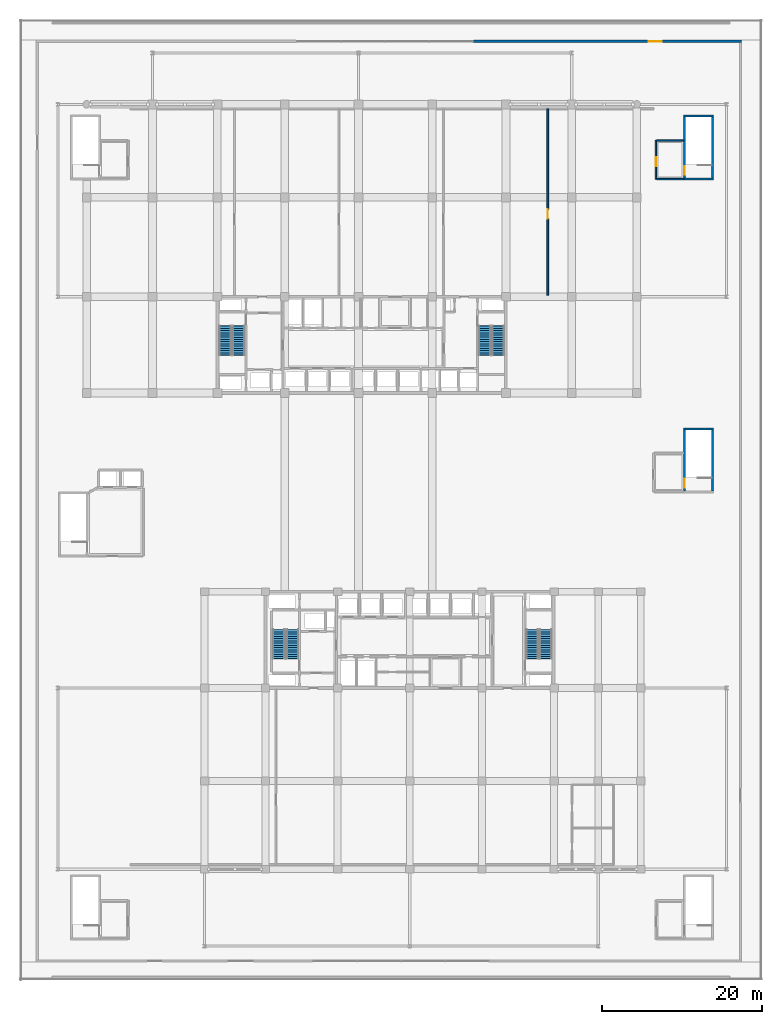
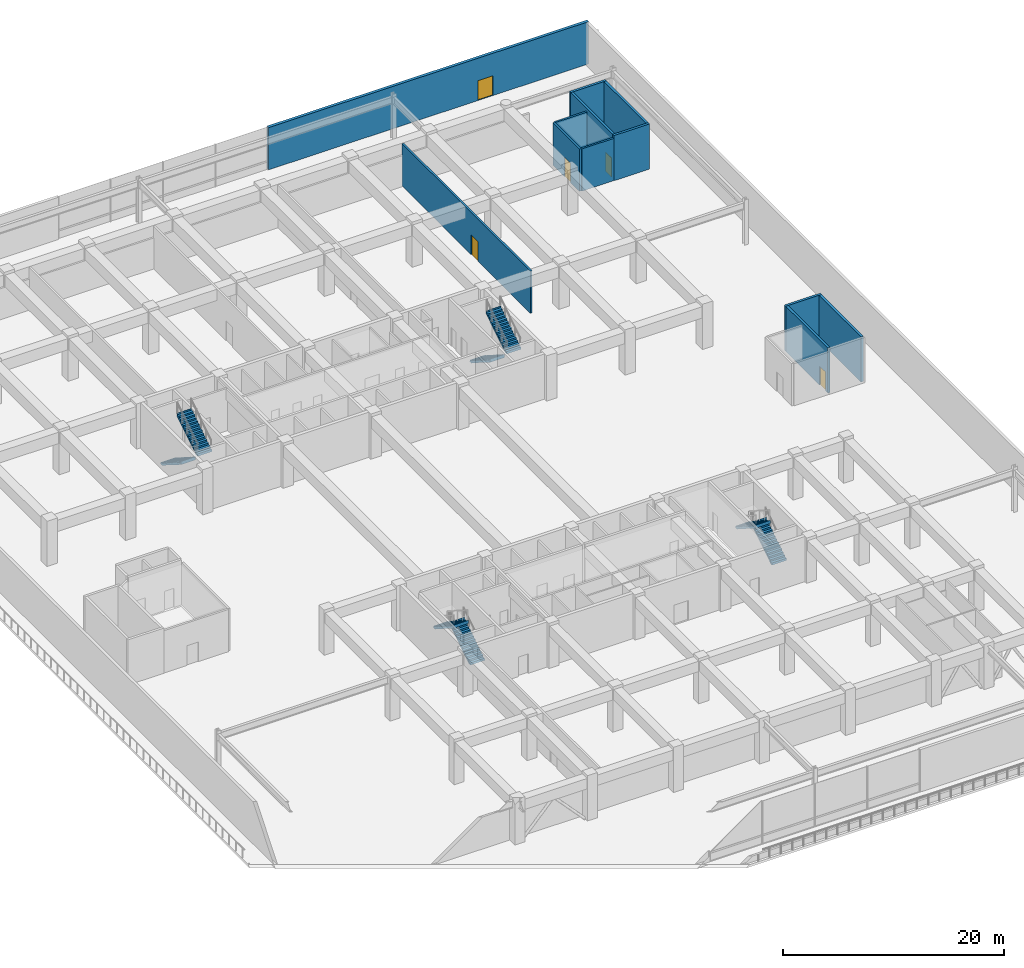
# One storey, part 31 of 38: 12 walls, 8 stair flights, 5 doors, 5 openings, 4 elements without a shape of their own.
"""IFC4 building model written with IfcOpenShell, lengths in metres."""

from ifc_helpers import new_model, si_unit, direction, frame, frame_2d, origin, place, context, subcontext, project, spatial, polyline, rectangle, outline, extrude, material, layer, layer_set, type_object, element, fill, aggregate, save


model = new_model("IFC4")

# Units and contexts
model_context = context("Model", 3, precision=1e-05, world=origin(), true_north=direction((0.0, 1.0)))
body_context = subcontext(model_context, "Body", "Model", "MODEL_VIEW")
ifc_project = project(units=[si_unit("LENGTHUNIT", "METRE"), si_unit("AREAUNIT", "SQUARE_METRE"), si_unit("VOLUMEUNIT", "CUBIC_METRE"), si_unit("PLANEANGLEUNIT", "RADIAN"), si_unit("MASSUNIT", "GRAM", prefix="KILO")], contexts=[model_context])

# Site, building, storey
site_placement = place(None, origin())
site = spatial("IfcSite", under=ifc_project, at=site_placement, CompositionType="ELEMENT")
building_placement = place(site_placement, origin())
building = spatial("IfcBuilding", under=site, at=building_placement, Name="Korimba Cascade Residences", CompositionType="ELEMENT")
storey_placement = place(building_placement, frame((0.0, 0.0, 19.0)))
storey = spatial("IfcBuildingStorey", under=building, at=storey_placement, Name="L04", CompositionType="ELEMENT", Elevation=19.0)

# Wall, opening, door
ifc_material_1 = material(Name="Precast concrete C40/50", Category="concrete")
ifc_layer_1 = layer(ifc_material_1, 0.300048828125)
ifc_layer_set_1 = layer_set([ifc_layer_1], Name="Precast concrete C40/50")
wall_type_1 = type_object("IfcWallType", Name="EW-STONE-300", PredefinedType="STANDARD", material=ifc_layer_set_1)
wall_1_placement = place(storey_placement, frame((141.5, 99.050048828125, 0.0), z_axis=(0.0, 0.0, 1.0), x_axis=(-1.0, 0.0, 0.0)))
wall_1 = element("IfcWall", 1, at=wall_1_placement, inside=storey, type_object=wall_type_1, Name="L04 North-East Podium Wall", PredefinedType="STANDARD", context=body_context, shape_type="SweptSolid", body=[
    extrude(rectangle(XDim=33.5, YDim=0.300048828125, at=frame_2d((16.75, 0.0))), origin(), (0.0, 0.0, 1.0), 4.679931640625),
])
opening_1_placement = place(wall_1_placement, frame((10.0, 0.0, 0.0)))
opening_1 = element("IfcOpeningElement", 2, at=opening_1_placement, cuts=wall_1, Name="Opening D-TR1", PredefinedType="OPENING", context=body_context, shape_type="SweptSolid", body=[
    extrude(rectangle(XDim=1.60009765625, YDim=2.199951171875, at=frame_2d((0.800048828125, 1.10009765625))), frame((0.0, 0.16015625, 0.0), z_axis=(0.0, -1.0, 0.0), x_axis=(1.0, 0.0, 0.0)), (0.0, 0.0, 1.0), 0.320068359375),
])
ifc_material_2 = material(Name="Glazed Aluminium Terrace Door", Category="aluminium")
door_type_1 = type_object("IfcDoorType", Name="DR-EXT-TER", OperationType="NOTDEFINED", PredefinedType="DOOR", material=ifc_material_2)
door_1_placement = place(opening_1_placement, frame((1.60009765625, 0.0, 0.0), z_axis=(0.0, 0.0, 1.0), x_axis=(-1.0, 0.0, 0.0)))
door_1 = element("IfcDoor", 3, at=door_1_placement, inside=storey, type_object=door_type_1, Name="L04 North Terrace Access Door", OperationType="DOUBLE_DOOR_SINGLE_SWING", OverallHeight=2.199951171875, OverallWidth=1.60009765625, PredefinedType="DOOR", context=body_context, shape_type="SweptSolid", body=[
    extrude(rectangle(XDim=1.60009765625, YDim=2.199951171875, at=frame_2d((0.800048828125, 1.10009765625))), frame((0.0, 0.02490234375, 0.0), z_axis=(0.0, -1.0, 0.0), x_axis=(1.0, 0.0, 0.0)), (0.0, 0.0, 1.0), 0.050048828125),
])
fill(opening_1, door_1)

ifc_material_3 = material(Name="Concrete C40/50", Category="concrete")
ifc_layer_2 = layer(ifc_material_3, 0.199951171875)
ifc_layer_set_2 = layer_set([ifc_layer_2], Name="Concrete C40/50")
wall_type_2 = type_object("IfcWallType", Name="WAL-PART-200", PredefinedType="PARTITIONING", material=ifc_layer_set_2)
wall_2_placement = place(storey_placement, frame((130.800048828125, 81.875, 0.0), z_axis=(0.0, 0.0, 1.0), x_axis=(0.0, 1.0, 0.0)))
wall_2 = element("IfcWall", 4, at=wall_2_placement, inside=storey, type_object=wall_type_2, Name="L04 Partition Wall CW-L04-PL4W", PredefinedType="PARTITIONING", context=body_context, shape_type="SweptSolid", body=[
    extrude(rectangle(XDim=4.824951171875, YDim=0.199951171875, at=frame_2d((2.41259765625, 0.0))), origin(), (0.0, 0.0, 1.0), 4.679931640625),
])
opening_2_placement = place(wall_2_placement, frame((1.60009765625, 0.0, 0.0)))
opening_2 = element("IfcOpeningElement", 5, at=opening_2_placement, cuts=wall_2, Name="Opening D-FD6", PredefinedType="OPENING", context=body_context, shape_type="SweptSolid", body=[
    extrude(rectangle(XDim=1.10009765625, YDim=2.14990234375, at=frame_2d((0.550048828125, 1.074951171875))), frame((0.0, 0.10986328125, 0.0), z_axis=(0.0, -1.0, 0.0), x_axis=(1.0, 0.0, 0.0)), (0.0, 0.0, 1.0), 0.219970703125),
])
ifc_material_4 = material(Name="Fire-Rated Timber Stair Lobby Door", Category="wood")
door_type_2 = type_object("IfcDoorType", Name="DR-FD90-1100", OperationType="NOTDEFINED", PredefinedType="DOOR", material=ifc_material_4)
door_2_placement = place(opening_2_placement, origin())
door_2 = element("IfcDoor", 6, at=door_2_placement, inside=storey, type_object=door_type_2, Name="L04 North-East Stair Vestibule Door", OperationType="SINGLE_SWING_RIGHT", OverallHeight=2.14990234375, OverallWidth=1.10009765625, PredefinedType="DOOR", context=body_context, shape_type="SweptSolid", body=[
    extrude(rectangle(XDim=1.10009765625, YDim=2.14990234375, at=frame_2d((0.550048828125, 1.074951171875))), frame((0.0, 0.02490234375, 0.0), z_axis=(0.0, -1.0, 0.0), x_axis=(1.0, 0.0, 0.0)), (0.0, 0.0, 1.0), 0.050048828125),
])
fill(opening_2, door_2)

# Walls
for number, where, z_axis, x_axis, name in (
    (7, (130.89990234375, 81.875, 0.0), (0.0, 0.0, 1.0), (1.0, 0.0, 0.0), "L04 Partition Wall CW-L04-PL4S"),
    (8, (130.89990234375, 86.699951171875, 0.0), (0.0, 0.0, 1.0), (1.0, 0.0, 0.0), "L04 Partition Wall CW-L04-PL4N"),
):
    element("IfcWall", number, at=place(storey_placement, frame(where, z_axis=z_axis, x_axis=x_axis)), inside=storey, type_object=wall_type_2, Name=name, PredefinedType="PARTITIONING", context=body_context, shape_type="SweptSolid", body=[
        extrude(rectangle(XDim=3.35009765625, YDim=0.199951171875, at=frame_2d((1.675048828125, 0.0))), origin(), (0.0, 0.0, 1.0), 4.679931640625),
    ])

# Wall, opening, door
wall_3_placement = place(storey_placement, frame((117.300048828125, 67.39990234375, 0.0), z_axis=(0.0, 0.0, 1.0), x_axis=(0.0, 1.0, 0.0)))
wall_3 = element("IfcWall", 9, at=wall_3_placement, inside=storey, type_object=wall_type_2, Name="L04 Partition Wall WAL-L04-NDIV4", PredefinedType="PARTITIONING", context=body_context, shape_type="SweptSolid", body=[
    extrude(rectangle(XDim=23.25, YDim=0.199951171875, at=frame_2d((11.625, 0.0))), origin(), (0.0, 0.0, 1.0), 4.679931640625),
])
opening_3_placement = place(wall_3_placement, frame((9.5, 0.0, 0.0)))
opening_3 = element("IfcOpeningElement", 10, at=opening_3_placement, cuts=wall_3, Name="Opening D-AM1", PredefinedType="OPENING", context=body_context, shape_type="SweptSolid", body=[
    extrude(rectangle(XDim=1.219970703125, YDim=2.179931640625, at=frame_2d((0.60986328125, 1.08984375))), frame((0.0, 0.10986328125, 0.0), z_axis=(0.0, -1.0, 0.0), x_axis=(1.0, 0.0, 0.0)), (0.0, 0.0, 1.0), 0.219970703125),
])
ifc_material_5 = material(Name="Fire-Rated Glazed Timber Suite Door", Category="wood")
door_type_3 = type_object("IfcDoorType", Name="DR-FD60-1200", OperationType="NOTDEFINED", PredefinedType="DOOR", material=ifc_material_5)
door_3_placement = place(opening_3_placement, origin())
door_3 = element("IfcDoor", 11, at=door_3_placement, inside=storey, type_object=door_type_3, Name="L04 North Podium Link Door 4", OperationType="SINGLE_SWING_RIGHT", OverallHeight=2.179931640625, OverallWidth=1.219970703125, PredefinedType="DOOR", context=body_context, shape_type="SweptSolid", body=[
    extrude(rectangle(XDim=1.219970703125, YDim=2.179931640625, at=frame_2d((0.60986328125, 1.08984375))), frame((0.0, 0.02490234375, 0.0), z_axis=(0.0, -1.0, 0.0), x_axis=(1.0, 0.0, 0.0)), (0.0, 0.0, 1.0), 0.050048828125),
])
fill(opening_3, door_3)

ifc_material_6 = material(Name="Concrete C50/60", Category="concrete")
ifc_layer_3 = layer(ifc_material_6, 0.25)
ifc_layer_set_3 = layer_set([ifc_layer_3], Name="Concrete C50/60")
wall_type_3 = type_object("IfcWallType", Name="WAL-SHAFT-250", PredefinedType="SHEAR", material=ifc_layer_set_3)
wall_4_placement = place(storey_placement, frame((134.375, 43.0, 0.0), z_axis=(0.0, 0.0, 1.0), x_axis=(0.0, 1.0, 0.0)))
wall_4 = element("IfcWall", 12, at=wall_4_placement, inside=storey, type_object=wall_type_3, Name="L04 Core Shear Wall CW-L04-STP2W", PredefinedType="SHEAR", context=body_context, shape_type="SweptSolid", body=[
    extrude(rectangle(XDim=7.60009765625, YDim=0.25, at=frame_2d((3.800048828125, 0.0))), origin(), (0.0, 0.0, 1.0), 5.0),
])
opening_4_placement = place(wall_4_placement, frame((0.39990234375, 0.0, 0.0)))
opening_4 = element("IfcOpeningElement", 13, at=opening_4_placement, cuts=wall_4, Name="Opening D-FD1", PredefinedType="OPENING", context=body_context, shape_type="SweptSolid", body=[
    extrude(rectangle(XDim=1.10009765625, YDim=2.10009765625, at=frame_2d((0.550048828125, 1.050048828125))), frame((0.0, 0.135009765625, 0.0), z_axis=(0.0, -1.0, 0.0), x_axis=(1.0, 0.0, 0.0)), (0.0, 0.0, 1.0), 0.27001953125),
])
ifc_material_7 = material(Name="Fire-Rated Steel Core Door", Category="steel")
door_type_4 = type_object("IfcDoorType", Name="DR-FD120-1100", OperationType="NOTDEFINED", PredefinedType="DOOR", material=ifc_material_7)
door_4_placement = place(opening_4_placement, origin())
door_4 = element("IfcDoor", 14, at=door_4_placement, inside=storey, type_object=door_type_4, Name="L04 Podium Stair ST-P2 Door", OperationType="SINGLE_SWING_LEFT", OverallHeight=2.10009765625, OverallWidth=1.10009765625, PredefinedType="DOOR", context=body_context, shape_type="SweptSolid", body=[
    extrude(rectangle(XDim=1.10009765625, YDim=2.10009765625, at=frame_2d((0.550048828125, 1.050048828125))), frame((0.0, 0.02490234375, 0.0), z_axis=(0.0, -1.0, 0.0), x_axis=(1.0, 0.0, 0.0)), (0.0, 0.0, 1.0), 0.050048828125),
])
fill(opening_4, door_4)

# Walls
wall_5_placement = place(storey_placement, frame((137.864990234375, 43.0, 0.0), z_axis=(0.0, 0.0, 1.0), x_axis=(0.0, 1.0, 0.0)))
element("IfcWall", 15, at=wall_5_placement, inside=storey, type_object=wall_type_3, Name="L04 Core Shear Wall CW-L04-STP2E", PredefinedType="SHEAR", context=body_context, shape_type="SweptSolid", body=[
    extrude(rectangle(XDim=7.60009765625, YDim=0.25, at=frame_2d((3.800048828125, 0.0))), origin(), (0.0, 0.0, 1.0), 5.0),
])
wall_6_placement = place(storey_placement, frame((134.25, 50.72509765625, 0.0), z_axis=(0.0, 0.0, 1.0), x_axis=(1.0, 0.0, 0.0)))
element("IfcWall", 16, at=wall_6_placement, inside=storey, type_object=wall_type_3, Name="L04 Core Shear Wall CW-L04-STP2N", PredefinedType="SHEAR", context=body_context, shape_type="SweptSolid", body=[
    extrude(rectangle(XDim=3.739990234375, YDim=0.25, at=frame_2d((1.8701171875, 0.0))), origin(), (0.0, 0.0, 1.0), 5.0),
])

# Wall, opening, door
wall_7_placement = place(storey_placement, frame((134.375, 82.0, 0.0), z_axis=(0.0, 0.0, 1.0), x_axis=(0.0, 1.0, 0.0)))
wall_7 = element("IfcWall", 17, at=wall_7_placement, inside=storey, type_object=wall_type_3, Name="L04 Core Shear Wall CW-L04-STP4W", PredefinedType="SHEAR", context=body_context, shape_type="SweptSolid", body=[
    extrude(rectangle(XDim=7.60009765625, YDim=0.25, at=frame_2d((3.800048828125, 0.0))), origin(), (0.0, 0.0, 1.0), 5.0),
])
opening_5_placement = place(wall_7_placement, frame((0.39990234375, 0.0, 0.0)))
opening_5 = element("IfcOpeningElement", 18, at=opening_5_placement, cuts=wall_7, Name="Opening D-FD1", PredefinedType="OPENING", context=body_context, shape_type="SweptSolid", body=[
    extrude(rectangle(XDim=1.10009765625, YDim=2.10009765625, at=frame_2d((0.550048828125, 1.050048828125))), frame((0.0, 0.135009765625, 0.0), z_axis=(0.0, -1.0, 0.0), x_axis=(1.0, 0.0, 0.0)), (0.0, 0.0, 1.0), 0.27001953125),
])
door_5_placement = place(opening_5_placement, origin())
door_5 = element("IfcDoor", 19, at=door_5_placement, inside=storey, type_object=door_type_4, Name="L04 Podium Stair ST-P4 Door", OperationType="SINGLE_SWING_LEFT", OverallHeight=2.10009765625, OverallWidth=1.10009765625, PredefinedType="DOOR", context=body_context, shape_type="SweptSolid", body=[
    extrude(rectangle(XDim=1.10009765625, YDim=2.10009765625, at=frame_2d((0.550048828125, 1.050048828125))), frame((0.0, 0.02490234375, 0.0), z_axis=(0.0, -1.0, 0.0), x_axis=(1.0, 0.0, 0.0)), (0.0, 0.0, 1.0), 0.050048828125),
])
fill(opening_5, door_5)

# Walls
wall_8_placement = place(storey_placement, frame((137.864990234375, 82.0, 0.0), z_axis=(0.0, 0.0, 1.0), x_axis=(0.0, 1.0, 0.0)))
element("IfcWall", 20, at=wall_8_placement, inside=storey, type_object=wall_type_3, Name="L04 Core Shear Wall CW-L04-STP4E", PredefinedType="SHEAR", context=body_context, shape_type="SweptSolid", body=[
    extrude(rectangle(XDim=7.60009765625, YDim=0.25, at=frame_2d((3.800048828125, 0.0))), origin(), (0.0, 0.0, 1.0), 5.0),
])
for number, where, z_axis, x_axis, name in (
    (21, (134.25, 81.875, 0.0), (0.0, 0.0, 1.0), (1.0, 0.0, 0.0), "L04 Core Shear Wall CW-L04-STP4S"),
    (22, (134.25, 89.72509765625, 0.0), (0.0, 0.0, 1.0), (1.0, 0.0, 0.0), "L04 Core Shear Wall CW-L04-STP4N"),
):
    element("IfcWall", number, at=place(storey_placement, frame(where, z_axis=z_axis, x_axis=x_axis)), inside=storey, type_object=wall_type_3, Name=name, PredefinedType="SHEAR", context=body_context, shape_type="SweptSolid", body=[
        extrude(rectangle(XDim=3.739990234375, YDim=0.25, at=frame_2d((1.8701171875, 0.0))), origin(), (0.0, 0.0, 1.0), 5.0),
    ])

# Stair, stair flights
stair_type_1 = type_object("IfcStairType", Name="STR-W1-28R-1786", PredefinedType="HALF_TURN_STAIR", material=ifc_material_6)
stair_1_placement = place(storey_placement, origin())
stair_1 = element("IfcStair", 23, at=stair_1_placement, inside=storey, type_object=stair_type_1, Name="L04 Tower 1 West Fire Stair ST-W1", PredefinedType="HALF_TURN_STAIR")
stair_flight_type = type_object("IfcStairFlightType", Name="STF-DL-28R-1786-1520", PredefinedType="STRAIGHT", material=ifc_material_6)
stair_flight_1_placement = place(storey_placement, frame((77.06005859375, 63.550048828125, 0.0), z_axis=(0.0, 0.0, 1.0), x_axis=(0.0, -1.0, 0.0)))
stair_flight_1 = element("IfcStairFlight", 24, at=stair_flight_1_placement, type_object=stair_flight_type, Name="ST-W1 flight 1", NumberOfRisers=14, NumberOfTreads=13, PredefinedType="STRAIGHT", RiserHeight=0.178571429, TreadLength=0.28, context=body_context, shape_type="SweptSolid", body=[
    extrude(outline(polyline([(-0.0380859375, 0.0), (0.0, 0.178466796875), (0.280029296875, 0.178466796875), (0.280029296875, 0.357177734375), (0.56005859375, 0.357177734375), (0.56005859375, 0.53564453125), (0.840087890625, 0.53564453125), (0.840087890625, 0.71435546875), (1.1201171875, 0.71435546875), (1.1201171875, 0.892822265625), (1.39990234375, 0.892822265625), (1.39990234375, 1.071533203125), (1.679931640625, 1.071533203125), (1.679931640625, 1.25), (1.9599609375, 1.25), (1.9599609375, 1.428466796875), (2.239990234375, 1.428466796875), (2.239990234375, 1.607177734375), (2.52001953125, 1.607177734375), (2.52001953125, 1.78564453125), (2.800048828125, 1.78564453125), (2.800048828125, 1.96435546875), (3.080078125, 1.96435546875), (3.080078125, 2.142822265625), (3.360107421875, 2.142822265625), (3.360107421875, 2.321533203125), (3.639892578125, 2.321533203125), (3.639892578125, 2.5), (3.677978515625, 2.5), (3.677978515625, 2.1435546875), (0.27880859375, 0.0), (0.27880859375, -0.0380859375), (-0.0380859375, -0.0380859375), (-0.0380859375, 0.0)])), frame((0.0, 0.760009765625, 0.0), z_axis=(0.0, -1.0, 0.0), x_axis=(1.0, 0.0, 0.0)), (0.0, 0.0, 1.0), 1.52001953125),
])
stair_flight_2_placement = place(storey_placement, frame((78.780029296875, 59.909912109375, 2.5), z_axis=(0.0, 0.0, 1.0), x_axis=(0.0, 1.0, 0.0)))
stair_flight_2 = element("IfcStairFlight", 25, at=stair_flight_2_placement, type_object=stair_flight_type, Name="ST-W1 flight 2", NumberOfRisers=14, NumberOfTreads=13, PredefinedType="STRAIGHT", RiserHeight=0.178571429, TreadLength=0.28, context=body_context, shape_type="SweptSolid", body=[
    extrude(outline(polyline([(-0.0380859375, 0.0), (0.0, 0.178466796875), (0.280029296875, 0.178466796875), (0.280029296875, 0.357177734375), (0.56005859375, 0.357177734375), (0.56005859375, 0.53564453125), (0.840087890625, 0.53564453125), (0.840087890625, 0.71435546875), (1.1201171875, 0.71435546875), (1.1201171875, 0.892822265625), (1.39990234375, 0.892822265625), (1.39990234375, 1.071533203125), (1.679931640625, 1.071533203125), (1.679931640625, 1.25), (1.9599609375, 1.25), (1.9599609375, 1.428466796875), (2.239990234375, 1.428466796875), (2.239990234375, 1.607177734375), (2.52001953125, 1.607177734375), (2.52001953125, 1.78564453125), (2.800048828125, 1.78564453125), (2.800048828125, 1.96435546875), (3.080078125, 1.96435546875), (3.080078125, 2.142822265625), (3.360107421875, 2.142822265625), (3.360107421875, 2.321533203125), (3.639892578125, 2.321533203125), (3.639892578125, 2.5), (3.677978515625, 2.5), (3.677978515625, 2.1435546875), (0.27880859375, 0.0), (0.27880859375, -0.0380859375), (-0.0380859375, -0.0380859375), (-0.0380859375, 0.0)])), frame((0.0, 0.760009765625, 0.0), z_axis=(0.0, -1.0, 0.0), x_axis=(1.0, 0.0, 0.0)), (0.0, 0.0, 1.0), 1.52001953125),
])
aggregate(stair_1, [stair_flight_1, stair_flight_2])

stair_type_2 = type_object("IfcStairType", Name="STR-W2-28R-1786", PredefinedType="HALF_TURN_STAIR", material=ifc_material_6)
stair_2_placement = place(storey_placement, origin())
stair_2 = element("IfcStair", 26, at=stair_2_placement, inside=storey, type_object=stair_type_2, Name="L04 Tower 1 East Fire Stair ST-W2", PredefinedType="HALF_TURN_STAIR")
stair_flight_3_placement = place(storey_placement, frame((109.419921875, 63.550048828125, 0.0), z_axis=(0.0, 0.0, 1.0), x_axis=(0.0, -1.0, 0.0)))
stair_flight_3 = element("IfcStairFlight", 27, at=stair_flight_3_placement, type_object=stair_flight_type, Name="ST-W2 flight 1", NumberOfRisers=14, NumberOfTreads=13, PredefinedType="STRAIGHT", RiserHeight=0.178571429, TreadLength=0.28, context=body_context, shape_type="SweptSolid", body=[
    extrude(outline(polyline([(-0.0380859375, 0.0), (0.0, 0.178466796875), (0.280029296875, 0.178466796875), (0.280029296875, 0.357177734375), (0.56005859375, 0.357177734375), (0.56005859375, 0.53564453125), (0.840087890625, 0.53564453125), (0.840087890625, 0.71435546875), (1.1201171875, 0.71435546875), (1.1201171875, 0.892822265625), (1.39990234375, 0.892822265625), (1.39990234375, 1.071533203125), (1.679931640625, 1.071533203125), (1.679931640625, 1.25), (1.9599609375, 1.25), (1.9599609375, 1.428466796875), (2.239990234375, 1.428466796875), (2.239990234375, 1.607177734375), (2.52001953125, 1.607177734375), (2.52001953125, 1.78564453125), (2.800048828125, 1.78564453125), (2.800048828125, 1.96435546875), (3.080078125, 1.96435546875), (3.080078125, 2.142822265625), (3.360107421875, 2.142822265625), (3.360107421875, 2.321533203125), (3.639892578125, 2.321533203125), (3.639892578125, 2.5), (3.677978515625, 2.5), (3.677978515625, 2.1435546875), (0.27880859375, 0.0), (0.27880859375, -0.0380859375), (-0.0380859375, -0.0380859375), (-0.0380859375, 0.0)])), frame((0.0, 0.760009765625, 0.0), z_axis=(0.0, -1.0, 0.0), x_axis=(1.0, 0.0, 0.0)), (0.0, 0.0, 1.0), 1.52001953125),
])
stair_flight_4_placement = place(storey_placement, frame((111.139892578125, 59.909912109375, 2.5), z_axis=(0.0, 0.0, 1.0), x_axis=(0.0, 1.0, 0.0)))
stair_flight_4 = element("IfcStairFlight", 28, at=stair_flight_4_placement, type_object=stair_flight_type, Name="ST-W2 flight 2", NumberOfRisers=14, NumberOfTreads=13, PredefinedType="STRAIGHT", RiserHeight=0.178571429, TreadLength=0.28, context=body_context, shape_type="SweptSolid", body=[
    extrude(outline(polyline([(-0.0380859375, 0.0), (0.0, 0.178466796875), (0.280029296875, 0.178466796875), (0.280029296875, 0.357177734375), (0.56005859375, 0.357177734375), (0.56005859375, 0.53564453125), (0.840087890625, 0.53564453125), (0.840087890625, 0.71435546875), (1.1201171875, 0.71435546875), (1.1201171875, 0.892822265625), (1.39990234375, 0.892822265625), (1.39990234375, 1.071533203125), (1.679931640625, 1.071533203125), (1.679931640625, 1.25), (1.9599609375, 1.25), (1.9599609375, 1.428466796875), (2.239990234375, 1.428466796875), (2.239990234375, 1.607177734375), (2.52001953125, 1.607177734375), (2.52001953125, 1.78564453125), (2.800048828125, 1.78564453125), (2.800048828125, 1.96435546875), (3.080078125, 1.96435546875), (3.080078125, 2.142822265625), (3.360107421875, 2.142822265625), (3.360107421875, 2.321533203125), (3.639892578125, 2.321533203125), (3.639892578125, 2.5), (3.677978515625, 2.5), (3.677978515625, 2.1435546875), (0.27880859375, 0.0), (0.27880859375, -0.0380859375), (-0.0380859375, -0.0380859375), (-0.0380859375, 0.0)])), frame((0.0, 0.760009765625, 0.0), z_axis=(0.0, -1.0, 0.0), x_axis=(1.0, 0.0, 0.0)), (0.0, 0.0, 1.0), 1.52001953125),
])
aggregate(stair_2, [stair_flight_3, stair_flight_4])

stair_type_3 = type_object("IfcStairType", Name="STR-E1-28R-1786", PredefinedType="HALF_TURN_STAIR", material=ifc_material_6)
stair_3_placement = place(storey_placement, origin())
stair_3 = element("IfcStair", 29, at=stair_3_placement, inside=storey, type_object=stair_type_3, Name="L04 Tower 2 West Fire Stair ST-E1", PredefinedType="HALF_TURN_STAIR")
stair_flight_5_placement = place(storey_placement, frame((85.47998046875, 22.050048828125, 0.0), z_axis=(0.0, 0.0, 1.0), x_axis=(0.0, 1.0, 0.0)))
stair_flight_5 = element("IfcStairFlight", 30, at=stair_flight_5_placement, type_object=stair_flight_type, Name="ST-E1 flight 1", NumberOfRisers=14, NumberOfTreads=13, PredefinedType="STRAIGHT", RiserHeight=0.178571429, TreadLength=0.28, context=body_context, shape_type="SweptSolid", body=[
    extrude(outline(polyline([(-0.0380859375, 0.0), (0.0, 0.178466796875), (0.280029296875, 0.178466796875), (0.280029296875, 0.357177734375), (0.56005859375, 0.357177734375), (0.56005859375, 0.53564453125), (0.840087890625, 0.53564453125), (0.840087890625, 0.71435546875), (1.1201171875, 0.71435546875), (1.1201171875, 0.892822265625), (1.39990234375, 0.892822265625), (1.39990234375, 1.071533203125), (1.679931640625, 1.071533203125), (1.679931640625, 1.25), (1.9599609375, 1.25), (1.9599609375, 1.428466796875), (2.239990234375, 1.428466796875), (2.239990234375, 1.607177734375), (2.52001953125, 1.607177734375), (2.52001953125, 1.78564453125), (2.800048828125, 1.78564453125), (2.800048828125, 1.96435546875), (3.080078125, 1.96435546875), (3.080078125, 2.142822265625), (3.360107421875, 2.142822265625), (3.360107421875, 2.321533203125), (3.639892578125, 2.321533203125), (3.639892578125, 2.5), (3.677978515625, 2.5), (3.677978515625, 2.1435546875), (0.27880859375, 0.0), (0.27880859375, -0.0380859375), (-0.0380859375, -0.0380859375), (-0.0380859375, 0.0)])), frame((0.0, 0.760009765625, 0.0), z_axis=(0.0, -1.0, 0.0), x_axis=(1.0, 0.0, 0.0)), (0.0, 0.0, 1.0), 1.52001953125),
])
stair_flight_6_placement = place(storey_placement, frame((83.760009765625, 25.68994140625, 2.5), z_axis=(0.0, 0.0, 1.0), x_axis=(0.0, -1.0, 0.0)))
stair_flight_6 = element("IfcStairFlight", 31, at=stair_flight_6_placement, type_object=stair_flight_type, Name="ST-E1 flight 2", NumberOfRisers=14, NumberOfTreads=13, PredefinedType="STRAIGHT", RiserHeight=0.178571429, TreadLength=0.28, context=body_context, shape_type="SweptSolid", body=[
    extrude(outline(polyline([(-0.0380859375, 0.0), (0.0, 0.178466796875), (0.280029296875, 0.178466796875), (0.280029296875, 0.357177734375), (0.56005859375, 0.357177734375), (0.56005859375, 0.53564453125), (0.840087890625, 0.53564453125), (0.840087890625, 0.71435546875), (1.1201171875, 0.71435546875), (1.1201171875, 0.892822265625), (1.39990234375, 0.892822265625), (1.39990234375, 1.071533203125), (1.679931640625, 1.071533203125), (1.679931640625, 1.25), (1.9599609375, 1.25), (1.9599609375, 1.428466796875), (2.239990234375, 1.428466796875), (2.239990234375, 1.607177734375), (2.52001953125, 1.607177734375), (2.52001953125, 1.78564453125), (2.800048828125, 1.78564453125), (2.800048828125, 1.96435546875), (3.080078125, 1.96435546875), (3.080078125, 2.142822265625), (3.360107421875, 2.142822265625), (3.360107421875, 2.321533203125), (3.639892578125, 2.321533203125), (3.639892578125, 2.5), (3.677978515625, 2.5), (3.677978515625, 2.1435546875), (0.27880859375, 0.0), (0.27880859375, -0.0380859375), (-0.0380859375, -0.0380859375), (-0.0380859375, 0.0)])), frame((0.0, 0.760009765625, 0.0), z_axis=(0.0, -1.0, 0.0), x_axis=(1.0, 0.0, 0.0)), (0.0, 0.0, 1.0), 1.52001953125),
])
aggregate(stair_3, [stair_flight_5, stair_flight_6])

stair_type_4 = type_object("IfcStairType", Name="STR-E2-28R-1786", PredefinedType="HALF_TURN_STAIR", material=ifc_material_6)
stair_4_placement = place(storey_placement, origin())
stair_4 = element("IfcStair", 32, at=stair_4_placement, inside=storey, type_object=stair_type_4, Name="L04 Tower 2 East Fire Stair ST-E2", PredefinedType="HALF_TURN_STAIR")
stair_flight_7_placement = place(storey_placement, frame((117.080078125, 22.050048828125, 0.0), z_axis=(0.0, 0.0, 1.0), x_axis=(0.0, 1.0, 0.0)))
stair_flight_7 = element("IfcStairFlight", 33, at=stair_flight_7_placement, type_object=stair_flight_type, Name="ST-E2 flight 1", NumberOfRisers=14, NumberOfTreads=13, PredefinedType="STRAIGHT", RiserHeight=0.178571429, TreadLength=0.28, context=body_context, shape_type="SweptSolid", body=[
    extrude(outline(polyline([(-0.0380859375, 0.0), (0.0, 0.178466796875), (0.280029296875, 0.178466796875), (0.280029296875, 0.357177734375), (0.56005859375, 0.357177734375), (0.56005859375, 0.53564453125), (0.840087890625, 0.53564453125), (0.840087890625, 0.71435546875), (1.1201171875, 0.71435546875), (1.1201171875, 0.892822265625), (1.39990234375, 0.892822265625), (1.39990234375, 1.071533203125), (1.679931640625, 1.071533203125), (1.679931640625, 1.25), (1.9599609375, 1.25), (1.9599609375, 1.428466796875), (2.239990234375, 1.428466796875), (2.239990234375, 1.607177734375), (2.52001953125, 1.607177734375), (2.52001953125, 1.78564453125), (2.800048828125, 1.78564453125), (2.800048828125, 1.96435546875), (3.080078125, 1.96435546875), (3.080078125, 2.142822265625), (3.360107421875, 2.142822265625), (3.360107421875, 2.321533203125), (3.639892578125, 2.321533203125), (3.639892578125, 2.5), (3.677978515625, 2.5), (3.677978515625, 2.1435546875), (0.27880859375, 0.0), (0.27880859375, -0.0380859375), (-0.0380859375, -0.0380859375), (-0.0380859375, 0.0)])), frame((0.0, 0.760009765625, 0.0), z_axis=(0.0, -1.0, 0.0), x_axis=(1.0, 0.0, 0.0)), (0.0, 0.0, 1.0), 1.52001953125),
])
stair_flight_8_placement = place(storey_placement, frame((115.360107421875, 25.68994140625, 2.5), z_axis=(0.0, 0.0, 1.0), x_axis=(0.0, -1.0, 0.0)))
stair_flight_8 = element("IfcStairFlight", 34, at=stair_flight_8_placement, type_object=stair_flight_type, Name="ST-E2 flight 2", NumberOfRisers=14, NumberOfTreads=13, PredefinedType="STRAIGHT", RiserHeight=0.178571429, TreadLength=0.28, context=body_context, shape_type="SweptSolid", body=[
    extrude(outline(polyline([(-0.0380859375, 0.0), (0.0, 0.178466796875), (0.280029296875, 0.178466796875), (0.280029296875, 0.357177734375), (0.56005859375, 0.357177734375), (0.56005859375, 0.53564453125), (0.840087890625, 0.53564453125), (0.840087890625, 0.71435546875), (1.1201171875, 0.71435546875), (1.1201171875, 0.892822265625), (1.39990234375, 0.892822265625), (1.39990234375, 1.071533203125), (1.679931640625, 1.071533203125), (1.679931640625, 1.25), (1.9599609375, 1.25), (1.9599609375, 1.428466796875), (2.239990234375, 1.428466796875), (2.239990234375, 1.607177734375), (2.52001953125, 1.607177734375), (2.52001953125, 1.78564453125), (2.800048828125, 1.78564453125), (2.800048828125, 1.96435546875), (3.080078125, 1.96435546875), (3.080078125, 2.142822265625), (3.360107421875, 2.142822265625), (3.360107421875, 2.321533203125), (3.639892578125, 2.321533203125), (3.639892578125, 2.5), (3.677978515625, 2.5), (3.677978515625, 2.1435546875), (0.27880859375, 0.0), (0.27880859375, -0.0380859375), (-0.0380859375, -0.0380859375), (-0.0380859375, 0.0)])), frame((0.0, 0.760009765625, 0.0), z_axis=(0.0, -1.0, 0.0), x_axis=(1.0, 0.0, 0.0)), (0.0, 0.0, 1.0), 1.52001953125),
])
aggregate(stair_4, [stair_flight_7, stair_flight_8])

save(model, "model.ifc")
